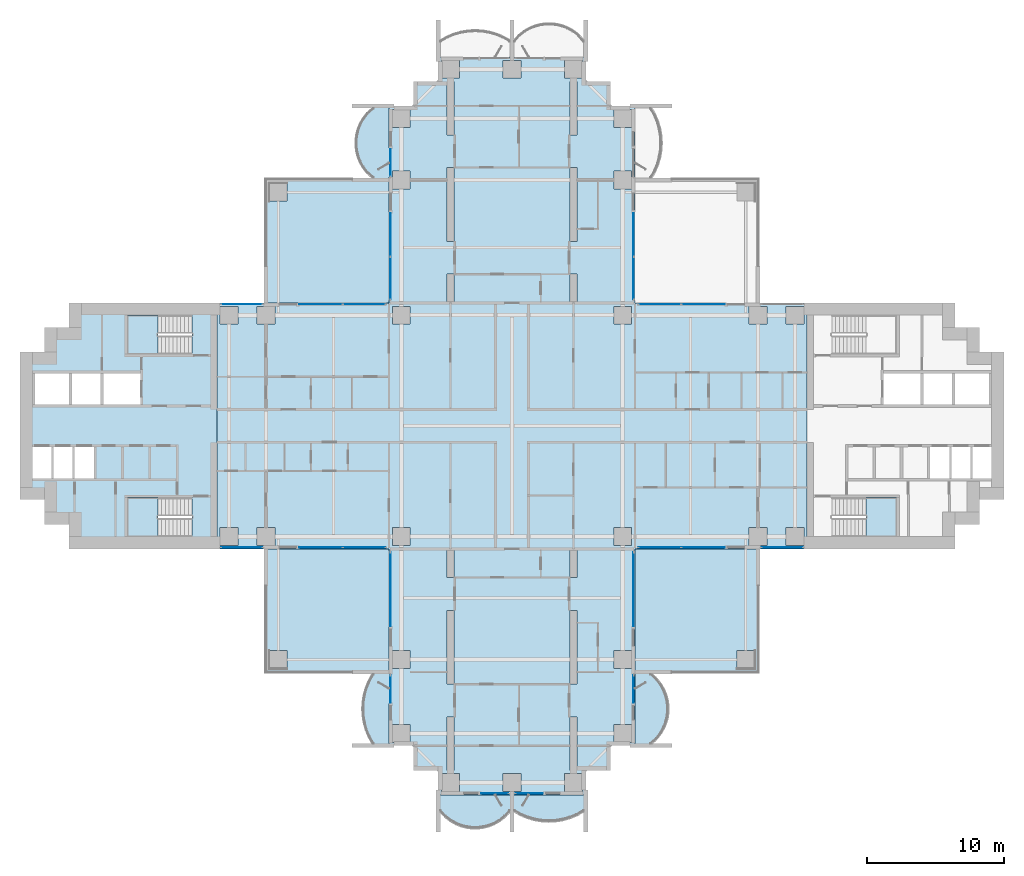
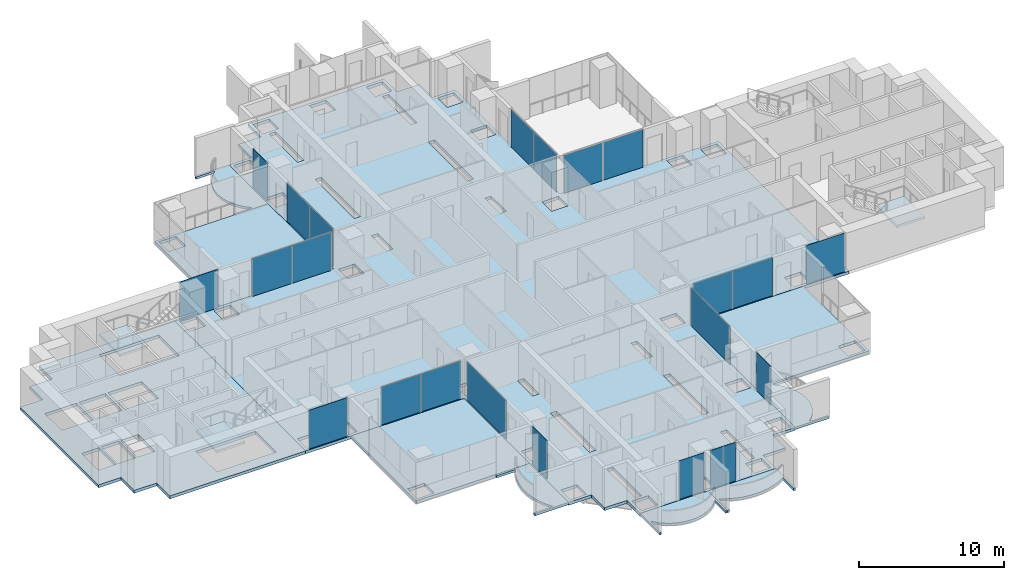
# One storey, part 8 of 20: 22 plates, 13 slabs, 19 elements without a shape of their own.
"""IFC4 building model written with IfcOpenShell, lengths in metres."""

import ifcopenshell
import ifcopenshell.guid

model = None  # the IFC model being written
_history = None  # IfcOwnerHistory: only IFC2X3 demands one
_inside = {}  # id of a spatial element -> (the spatial element, [elements in it])
_under = {}  # id of a project, library or spatial element -> (it, [spatial elements below it])
_declared = {}  # id of a project -> (the project, [libraries it declares])
_typed = {}  # id of a type object -> (the type object, [elements of that type])
_made_of = {}  # id of a material, layer set ... -> (it, [elements and type objects made of it])


def new_model(schema):
    """Start an empty IFC model of exactly this schema.

    Asked for "IFC4X3", IfcOpenShell would pick the latest addendum, in which some entities
    have other attributes; the version numbers below select the first issue.
    IFC2X3 requires an IfcOwnerHistory on every rooted entity: one is made here for all.
    """
    global model, _history
    if schema == "IFC4X3":
        model = ifcopenshell.file(schema_version=(4, 3, 0, 0))
    else:
        model = ifcopenshell.file(schema=schema)
    _inside.clear()
    _under.clear()
    _declared.clear()
    _typed.clear()
    _made_of.clear()
    _history = None
    if model.schema == "IFC2X3":
        org = make("IfcOrganization", Name="unknown")
        user = make(
            "IfcPersonAndOrganization",
            ThePerson=make("IfcPerson", FamilyName="unknown"),
            TheOrganization=org,
        )
        app = make(
            "IfcApplication",
            ApplicationDeveloper=org,
            Version="unknown",
            ApplicationFullName="unknown",
            ApplicationIdentifier="unknown",
        )
        _history = make(
            "IfcOwnerHistory",
            OwningUser=user,
            OwningApplication=app,
            ChangeAction="ADDED",
            CreationDate=0,
        )
    return model


def make(cls, **values):
    """One entity of the class cls with the attributes given. An attribute that is None is left unset."""
    return model.create_entity(
        cls, **{name: value for name, value in values.items() if value is not None}
    )


def rooted(cls, **values):
    """An entity with a GlobalId (a new one), such as an element, a storey or a relation."""
    return make(cls, GlobalId=ifcopenshell.guid.new(), OwnerHistory=_history, **values)


def si_unit(unit_type, name, prefix=None):
    """IfcSIUnit, for example si_unit("LENGTHUNIT", "METRE", prefix="MILLI")."""
    return make("IfcSIUnit", UnitType=unit_type, Prefix=prefix, Name=name)


def assignment(units):
    """IfcUnitAssignment: the units of a project."""
    return None if units is None else make("IfcUnitAssignment", Units=units)


def point(xyz):
    """IfcCartesianPoint."""
    return None if xyz is None else make("IfcCartesianPoint", Coordinates=xyz)


def direction(xyz):
    """IfcDirection."""
    return None if xyz is None else make("IfcDirection", DirectionRatios=xyz)


def frame(location, z_axis=None, x_axis=None):
    """IfcAxis2Placement3D, a coordinate frame: its origin and axes. An axis left out is left unset."""
    return make(
        "IfcAxis2Placement3D",
        Location=point(location),
        Axis=direction(z_axis),
        RefDirection=direction(x_axis),
    )


def frame_2d(location, x_axis=None):
    """IfcAxis2Placement2D, a coordinate frame in the plane: its origin and x axis."""
    return make(
        "IfcAxis2Placement2D", Location=point(location), RefDirection=direction(x_axis)
    )


def origin():
    """The frame at (0, 0, 0) with its axes left unset."""
    return frame((0.0, 0.0, 0.0))


def origin_2d():
    """The frame at (0, 0) in the plane with its x axis left unset."""
    return frame_2d((0.0, 0.0))


def place(relative_to, where):
    """IfcLocalPlacement: puts the frame where relative to a parent placement (None: the world)."""
    return make(
        "IfcLocalPlacement", PlacementRelTo=relative_to, RelativePlacement=where
    )


def context(
    kind, dimensions, precision=None, world=None, true_north=None, identifier=None
):
    """IfcGeometricRepresentationContext, for example the 3D "Model" context."""
    return make(
        "IfcGeometricRepresentationContext",
        ContextIdentifier=identifier,
        ContextType=kind,
        CoordinateSpaceDimension=dimensions,
        Precision=precision,
        WorldCoordinateSystem=world,
        TrueNorth=true_north,
    )


def subcontext(parent, identifier, kind, view, scale=None):
    """IfcGeometricRepresentationSubContext, for example "Body" below "Model"."""
    return make(
        "IfcGeometricRepresentationSubContext",
        ContextIdentifier=identifier,
        ContextType=kind,
        ParentContext=parent,
        TargetScale=scale,
        TargetView=view,
    )


def project(units=None, contexts=None):
    """IfcProject with its units and contexts."""
    return rooted(
        "IfcProject",
        Name="project",
        RepresentationContexts=contexts,
        UnitsInContext=assignment(units),
    )


def spatial(cls, under=None, at=None, **own):
    """A site, building, storey or space (cls), placed at a placement, below another one or the project."""
    s = rooted(cls, ObjectPlacement=at, **own)
    if under is not None:
        _under.setdefault(under.id(), (under, []))[1].append(s)
    return s


def polyline(points):
    """IfcPolyline through the points."""
    return make("IfcPolyline", Points=[point(p) for p in points])


def profile(cls, at=None, kind="AREA", **sizes):
    """A parametric profile (cls). Its sizes go by their IFC names, for example OverallWidth=200.0."""
    return make(cls, ProfileType=kind, Position=at, **sizes)


def rectangle(**sizes):
    """IfcRectangleProfileDef."""
    return profile("IfcRectangleProfileDef", **sizes)


def outline(outer, holes=None, kind="AREA"):
    """IfcArbitraryClosedProfileDef: a profile drawn as a closed curve; with holes, ...WithVoids."""
    if holes is None:
        return make("IfcArbitraryClosedProfileDef", ProfileType=kind, OuterCurve=outer)
    return make(
        "IfcArbitraryProfileDefWithVoids",
        ProfileType=kind,
        OuterCurve=outer,
        InnerCurves=holes,
    )


def extrude(swept, where, along, depth):
    """IfcExtrudedAreaSolid: the profile swept, set in the frame where, extruded along a direction by depth."""
    return make(
        "IfcExtrudedAreaSolid",
        SweptArea=swept,
        Position=where,
        ExtrudedDirection=direction(along),
        Depth=depth,
    )


def shape(context_of_items, identifier, shape_type, items):
    """IfcShapeRepresentation: the items that make up one representation, for example the "Body"."""
    return make(
        "IfcShapeRepresentation",
        ContextOfItems=context_of_items,
        RepresentationIdentifier=identifier,
        RepresentationType=shape_type,
        Items=items,
    )


def material(Name=None, Category=None):
    """IfcMaterial."""
    return make("IfcMaterial", Name=Name, Category=Category)


def layer(
    of_material, thickness, ventilated=None, Name=None, Category=None, Priority=None
):
    """IfcMaterialLayer: one layer of a wall or slab, of a material (None: an air gap)."""
    return make(
        "IfcMaterialLayer",
        Material=of_material,
        LayerThickness=thickness,
        IsVentilated=ventilated,
        Name=Name,
        Category=Category,
        Priority=Priority,
    )


def layer_set(layers, Name=None):
    """IfcMaterialLayerSet."""
    return make("IfcMaterialLayerSet", MaterialLayers=layers, LayerSetName=Name)


def made_of(thing, what):
    """Note that an element or type object is made of a material, layer set ...; save() writes the relation."""
    if what is not None:
        _made_of.setdefault(what.id(), (what, []))[1].append(thing)
    return thing


def type_object(cls, material=None, **own):
    """A type object (cls), such as IfcWallType, which elements share."""
    return made_of(rooted(cls, **own), material)


def element(
    cls,
    number,
    at=None,
    inside=None,
    cuts=None,
    type_object=None,
    material=None,
    context=None,
    identifier="Body",
    shape_type=None,
    held_by="IfcProductDefinitionShape",
    body=None,
    shapes=None,
    **own,
):
    """One element of the class cls, such as IfcWall. Its Tag is "e" and its number.

    at: its placement. inside: the storey or other place that contains it. cuts: it is an
    opening in that element (IfcRelVoidsElement). A single representation is given by context,
    identifier, shape_type and body (its items); several are given by shapes. held_by: the class
    of the entity that holds the representations. save() writes the other relations.
    """
    e = rooted(cls, Tag="e%d" % number, ObjectPlacement=at, **own)
    if body is not None:
        shapes = [shape(context, identifier, shape_type, body)]
    if shapes is not None:
        e.Representation = make(held_by, Representations=shapes)
    if inside is not None:
        _inside.setdefault(inside.id(), (inside, []))[1].append(e)
    if cuts is not None:
        rooted(
            "IfcRelVoidsElement", RelatingBuildingElement=cuts, RelatedOpeningElement=e
        )
    if type_object is not None:
        _typed.setdefault(type_object.id(), (type_object, []))[1].append(e)
    return made_of(e, material)


def aggregate(whole, parts):
    """IfcRelAggregates: a whole, such as a stair, and the parts it consists of."""
    return rooted("IfcRelAggregates", RelatingObject=whole, RelatedObjects=parts)


def save(model, path):
    """Write the relations noted so far, then the file.

    IfcRelAggregates (storeys below a building ...), IfcRelContainedInSpatialStructure (elements
    in a storey), IfcRelDefinesByType, IfcRelAssociatesMaterial and IfcRelDeclares: one each for
    every whole, place, type object, material and project.
    """
    for whole, parts in _under.values():
        aggregate(whole, parts)
    for where, things in _inside.values():
        rooted(
            "IfcRelContainedInSpatialStructure",
            RelatedElements=things,
            RelatingStructure=where,
        )
    for kind, things in _typed.values():
        rooted("IfcRelDefinesByType", RelatedObjects=things, RelatingType=kind)
    for what, things in _made_of.values():
        rooted("IfcRelAssociatesMaterial", RelatedObjects=things, RelatingMaterial=what)
    for by, libraries in _declared.values():
        rooted("IfcRelDeclares", RelatingContext=by, RelatedDefinitions=libraries)
    model.write(path)


model = new_model("IFC4")

# Units and contexts
model_context = context("Model", 3, precision=1e-05, world=origin(), true_north=direction((0.0, 1.0)))
body_context = subcontext(model_context, "Body", "Model", "MODEL_VIEW")
ifc_project = project(units=[si_unit("LENGTHUNIT", "METRE"), si_unit("AREAUNIT", "SQUARE_METRE"), si_unit("VOLUMEUNIT", "CUBIC_METRE"), si_unit("PLANEANGLEUNIT", "RADIAN"), si_unit("MASSUNIT", "GRAM", prefix="KILO")], contexts=[model_context])

# Site, building, storey
site_placement = place(None, origin())
site = spatial("IfcSite", under=ifc_project, at=site_placement, CompositionType="ELEMENT")
building_placement = place(site_placement, origin())
building = spatial("IfcBuilding", under=site, at=building_placement, Name="Perihelion Cross Residences", CompositionType="ELEMENT")
storey_placement = place(building_placement, frame((0.0, 0.0, 82.0)))
storey = spatial("IfcBuildingStorey", under=building, at=storey_placement, Name="L18", CompositionType="ELEMENT", Elevation=82.0)

# Slabs
ifc_material_1 = material(Name="Concrete C40/50", Category="concrete")
ifc_layer_1 = layer(ifc_material_1, 0.199951171875)
ifc_layer_set_1 = layer_set([ifc_layer_1], Name="Balcony slab 200")
slab_type_1 = type_object("IfcSlabType", Name="Balcony slab 200", PredefinedType="FLOOR", material=ifc_layer_set_1)
slab_1_placement = place(storey_placement, frame((0.0, 0.0, -0.199951171875)))
element("IfcSlab", 1, at=slab_1_placement, inside=storey, type_object=slab_type_1, Name="Slab BK1 L18 north side west bay 1 balcony", PredefinedType="FLOOR", context=body_context, shape_type="SweptSolid", body=[
    extrude(outline(polyline([(-9.0, 23.39990234375), (-9.0, 18.0), (-11.699951171875, 18.0), (-11.699951171875, 18.14990234375), (-10.199951171875, 18.14990234375), (-10.622314453125, 18.542236328125), (-10.924072265625, 18.9345703125), (-11.143310546875, 19.326904296875), (-11.29736328125, 19.71923828125), (-11.39599609375, 20.111572265625), (-11.444091796875, 20.50390625), (-11.444091796875, 20.896240234375), (-11.39599609375, 21.28857421875), (-11.29736328125, 21.6806640625), (-11.143310546875, 22.072998046875), (-10.924072265625, 22.46533203125), (-10.622314453125, 22.857666015625), (-10.199951171875, 23.25), (-11.699951171875, 23.25), (-11.699951171875, 23.39990234375), (-9.0, 23.39990234375)])), origin(), (0.0, 0.0, 1.0), 0.199951171875),
])
slab_2_placement = place(storey_placement, frame((0.0, 0.0, -0.199951171875)))
element("IfcSlab", 2, at=slab_2_placement, inside=storey, type_object=slab_type_1, Name="Slab BK1 L18 south side west bay 2 balcony", PredefinedType="FLOOR", context=body_context, shape_type="SweptSolid", body=[
    extrude(outline(polyline([(-9.0, -18.0), (-9.0, -23.39990234375), (-11.699951171875, -23.39990234375), (-11.699951171875, -23.25), (-10.199951171875, -23.25), (-10.4853515625, -22.739990234375), (-10.694580078125, -22.22998046875), (-10.838134765625, -21.719970703125), (-10.92236328125, -21.2099609375), (-10.949951171875, -20.699951171875), (-10.92236328125, -20.18994140625), (-10.838134765625, -19.679931640625), (-10.694580078125, -19.169921875), (-10.4853515625, -18.659912109375), (-10.199951171875, -18.14990234375), (-11.699951171875, -18.14990234375), (-11.699951171875, -18.0), (-9.0, -18.0)])), origin(), (0.0, 0.0, 1.0), 0.199951171875),
])
slab_3_placement = place(storey_placement, frame((0.0, 0.0, -0.199951171875)))
element("IfcSlab", 3, at=slab_3_placement, inside=storey, type_object=slab_type_1, Name="Slab BK1 L18 south tip south bay 1 balcony", PredefinedType="FLOOR", context=body_context, shape_type="SweptSolid", body=[
    extrude(outline(polyline([(-5.39990234375, -27.0), (0.0, -27.0), (0.0, -29.699951171875), (-0.14990234375, -29.699951171875), (-0.14990234375, -28.199951171875), (-0.542236328125, -28.622314453125), (-0.9345703125, -28.924072265625), (-1.326904296875, -29.143310546875), (-1.71923828125, -29.29736328125), (-2.111572265625, -29.39599609375), (-2.50390625, -29.444091796875), (-2.896240234375, -29.444091796875), (-3.28857421875, -29.39599609375), (-3.6806640625, -29.29736328125), (-4.072998046875, -29.143310546875), (-4.46533203125, -28.924072265625), (-4.857666015625, -28.622314453125), (-5.25, -28.199951171875), (-5.25, -29.699951171875), (-5.39990234375, -29.699951171875), (-5.39990234375, -27.0)])), origin(), (0.0, 0.0, 1.0), 0.199951171875),
])
slab_4_placement = place(storey_placement, frame((0.0, 0.0, -0.199951171875)))
element("IfcSlab", 4, at=slab_4_placement, inside=storey, type_object=slab_type_1, Name="Slab BK1 L18 south tip south bay 2 balcony", PredefinedType="FLOOR", context=body_context, shape_type="SweptSolid", body=[
    extrude(outline(polyline([(0.0, -27.0), (5.39990234375, -27.0), (5.39990234375, -29.699951171875), (5.25, -29.699951171875), (5.25, -28.199951171875), (4.739990234375, -28.4853515625), (4.22998046875, -28.694580078125), (3.719970703125, -28.838134765625), (3.2099609375, -28.92236328125), (2.699951171875, -28.949951171875), (2.18994140625, -28.92236328125), (1.679931640625, -28.838134765625), (1.169921875, -28.694580078125), (0.659912109375, -28.4853515625), (0.14990234375, -28.199951171875), (0.14990234375, -29.699951171875), (0.0, -29.699951171875), (0.0, -27.0)])), origin(), (0.0, 0.0, 1.0), 0.199951171875),
])
slab_5_placement = place(storey_placement, frame((0.0, 0.0, -0.199951171875)))
element("IfcSlab", 5, at=slab_5_placement, inside=storey, type_object=slab_type_1, Name="Slab BK1 L18 south side east bay 1 balcony", PredefinedType="FLOOR", context=body_context, shape_type="SweptSolid", body=[
    extrude(outline(polyline([(9.0, -23.39990234375), (9.0, -18.0), (11.699951171875, -18.0), (11.699951171875, -18.14990234375), (10.199951171875, -18.14990234375), (10.622314453125, -18.542236328125), (10.924072265625, -18.9345703125), (11.143310546875, -19.326904296875), (11.29736328125, -19.71923828125), (11.39599609375, -20.111572265625), (11.444091796875, -20.50390625), (11.444091796875, -20.896240234375), (11.39599609375, -21.28857421875), (11.29736328125, -21.6806640625), (11.143310546875, -22.072998046875), (10.924072265625, -22.46533203125), (10.622314453125, -22.857666015625), (10.199951171875, -23.25), (11.699951171875, -23.25), (11.699951171875, -23.39990234375), (9.0, -23.39990234375)])), origin(), (0.0, 0.0, 1.0), 0.199951171875),
])

# Curtain wall, plates
ifc_material_2 = material(Name="Bronze anodised aluminium, tinted glazing", Category="aluminium")
curtain_wall_type = type_object("IfcCurtainWallType", Name="CW1", PredefinedType="NOTDEFINED", material=ifc_material_2)
curtain_wall_1_placement = place(storey_placement, origin())
curtain_wall_1 = element("IfcCurtainWall", 6, at=curtain_wall_1_placement, inside=storey, type_object=curtain_wall_type, Name="Curtain wall CW1 L18 east side north bay 2", PredefinedType="NOTDEFINED")
ifc_material_3 = material(Name="Tinted laminated glass", Category="glass")
ifc_layer_2 = layer(ifc_material_3, 0.028076171875)
ifc_layer_set_2 = layer_set([ifc_layer_2], Name="CW1 panel")
plate_type = type_object("IfcPlateType", Name="CW1 panel", PredefinedType="CURTAIN_PANEL", material=ifc_layer_set_2)
plate_1_placement = place(storey_placement, frame((13.9775390625, 8.89990234375, 0.0), z_axis=(0.0, 0.0, 1.0), x_axis=(-1.0, 0.0, 0.0)))
plate_1 = element("IfcPlate", 7, at=plate_1_placement, type_object=plate_type, Name="CW1 panel 1", PredefinedType="CURTAIN_PANEL", context=body_context, shape_type="SweptSolid", body=[
    extrude(rectangle(XDim=3.14501953125, YDim=0.028076171875, at=origin_2d()), origin(), (0.0, 0.0, 1.0), 3.18994140625),
])
plate_2_placement = place(storey_placement, frame((10.802490234375, 8.89990234375, 0.0), z_axis=(0.0, 0.0, 1.0), x_axis=(-1.0, 0.0, 0.0)))
plate_2 = element("IfcPlate", 8, at=plate_2_placement, type_object=plate_type, Name="CW1 panel 2", PredefinedType="CURTAIN_PANEL", context=body_context, shape_type="SweptSolid", body=[
    extrude(rectangle(XDim=3.0849609375, YDim=0.028076171875, at=origin_2d()), origin(), (0.0, 0.0, 1.0), 3.18994140625),
])
aggregate(curtain_wall_1, [plate_1, plate_2])

curtain_wall_2_placement = place(storey_placement, origin())
curtain_wall_2 = element("IfcCurtainWall", 9, at=curtain_wall_2_placement, inside=storey, type_object=curtain_wall_type, Name="Curtain wall CW1 L18 north side east bay 1", PredefinedType="NOTDEFINED")
plate_3_placement = place(storey_placement, frame((8.89990234375, 10.802490234375, 0.0), z_axis=(0.0, 0.0, 1.0), x_axis=(0.0, 1.0, 0.0)))
plate_3 = element("IfcPlate", 10, at=plate_3_placement, type_object=plate_type, Name="CW1 panel 1", PredefinedType="CURTAIN_PANEL", context=body_context, shape_type="SweptSolid", body=[
    extrude(rectangle(XDim=3.0849609375, YDim=0.028076171875, at=origin_2d()), origin(), (0.0, 0.0, 1.0), 3.18994140625),
])
plate_4_placement = place(storey_placement, frame((8.89990234375, 13.9775390625, 0.0), z_axis=(0.0, 0.0, 1.0), x_axis=(0.0, 1.0, 0.0)))
plate_4 = element("IfcPlate", 11, at=plate_4_placement, type_object=plate_type, Name="CW1 panel 2", PredefinedType="CURTAIN_PANEL", context=body_context, shape_type="SweptSolid", body=[
    extrude(rectangle(XDim=3.14501953125, YDim=0.028076171875, at=origin_2d()), origin(), (0.0, 0.0, 1.0), 3.18994140625),
])
aggregate(curtain_wall_2, [plate_3, plate_4])

# Curtain wall, plate
curtain_wall_3_placement = place(storey_placement, origin())
curtain_wall_3 = element("IfcCurtainWall", 12, at=curtain_wall_3_placement, inside=storey, type_object=curtain_wall_type, Name="Curtain wall CW1 L18 north side west bay 1", PredefinedType="NOTDEFINED")
plate_5_placement = place(storey_placement, frame((-8.89990234375, 19.2548828125, 0.0), z_axis=(0.0, 0.0, 1.0), x_axis=(0.0, -1.0, 0.0)))
plate_5 = element("IfcPlate", 13, at=plate_5_placement, type_object=plate_type, Name="CW1 panel 1", PredefinedType="CURTAIN_PANEL", context=body_context, shape_type="SweptSolid", body=[
    extrude(rectangle(XDim=1.989990234375, YDim=0.028076171875, at=origin_2d()), origin(), (0.0, 0.0, 1.0), 3.25),
])
aggregate(curtain_wall_3, [plate_5])

# Curtain wall, plates
curtain_wall_4_placement = place(storey_placement, origin())
curtain_wall_4 = element("IfcCurtainWall", 14, at=curtain_wall_4_placement, inside=storey, type_object=curtain_wall_type, Name="Curtain wall CW1 L18 north side west bay 2", PredefinedType="NOTDEFINED")
plate_6_placement = place(storey_placement, frame((-8.89990234375, 13.9775390625, 0.0), z_axis=(0.0, 0.0, 1.0), x_axis=(0.0, -1.0, 0.0)))
plate_6 = element("IfcPlate", 15, at=plate_6_placement, type_object=plate_type, Name="CW1 panel 1", PredefinedType="CURTAIN_PANEL", context=body_context, shape_type="SweptSolid", body=[
    extrude(rectangle(XDim=3.14501953125, YDim=0.028076171875, at=origin_2d()), origin(), (0.0, 0.0, 1.0), 3.18994140625),
])
plate_7_placement = place(storey_placement, frame((-8.89990234375, 10.802490234375, 0.0), z_axis=(0.0, 0.0, 1.0), x_axis=(0.0, -1.0, 0.0)))
plate_7 = element("IfcPlate", 16, at=plate_7_placement, type_object=plate_type, Name="CW1 panel 2", PredefinedType="CURTAIN_PANEL", context=body_context, shape_type="SweptSolid", body=[
    extrude(rectangle(XDim=3.0849609375, YDim=0.028076171875, at=origin_2d()), origin(), (0.0, 0.0, 1.0), 3.18994140625),
])
aggregate(curtain_wall_4, [plate_6, plate_7])

curtain_wall_5_placement = place(storey_placement, origin())
curtain_wall_5 = element("IfcCurtainWall", 17, at=curtain_wall_5_placement, inside=storey, type_object=curtain_wall_type, Name="Curtain wall CW1 L18 west side north bay 1", PredefinedType="NOTDEFINED")
plate_8_placement = place(storey_placement, frame((-10.802490234375, 8.89990234375, 0.0), z_axis=(0.0, 0.0, 1.0), x_axis=(-1.0, 0.0, 0.0)))
plate_8 = element("IfcPlate", 18, at=plate_8_placement, type_object=plate_type, Name="CW1 panel 1", PredefinedType="CURTAIN_PANEL", context=body_context, shape_type="SweptSolid", body=[
    extrude(rectangle(XDim=3.0849609375, YDim=0.028076171875, at=origin_2d()), origin(), (0.0, 0.0, 1.0), 3.18994140625),
])
plate_9_placement = place(storey_placement, frame((-13.9775390625, 8.89990234375, 0.0), z_axis=(0.0, 0.0, 1.0), x_axis=(-1.0, 0.0, 0.0)))
plate_9 = element("IfcPlate", 19, at=plate_9_placement, type_object=plate_type, Name="CW1 panel 2", PredefinedType="CURTAIN_PANEL", context=body_context, shape_type="SweptSolid", body=[
    extrude(rectangle(XDim=3.14501953125, YDim=0.028076171875, at=origin_2d()), origin(), (0.0, 0.0, 1.0), 3.18994140625),
])
aggregate(curtain_wall_5, [plate_8, plate_9])

# Curtain wall, plate
curtain_wall_6_placement = place(storey_placement, origin())
curtain_wall_6 = element("IfcCurtainWall", 20, at=curtain_wall_6_placement, inside=storey, type_object=curtain_wall_type, Name="Curtain wall CW1 L18 west side north bay 2", PredefinedType="NOTDEFINED")
plate_10_placement = place(storey_placement, frame((-19.77490234375, 8.89990234375, 0.0), z_axis=(0.0, 0.0, 1.0), x_axis=(-1.0, 0.0, 0.0)))
plate_10 = element("IfcPlate", 21, at=plate_10_placement, type_object=plate_type, Name="CW1 panel 1", PredefinedType="CURTAIN_PANEL", context=body_context, shape_type="SweptSolid", body=[
    extrude(rectangle(XDim=3.030029296875, YDim=0.028076171875, at=origin_2d()), origin(), (0.0, 0.0, 1.0), 3.25),
])
aggregate(curtain_wall_6, [plate_10])

curtain_wall_7_placement = place(storey_placement, origin())
curtain_wall_7 = element("IfcCurtainWall", 22, at=curtain_wall_7_placement, inside=storey, type_object=curtain_wall_type, Name="Curtain wall CW1 L18 west side south bay 1", PredefinedType="NOTDEFINED")
plate_11_placement = place(storey_placement, frame((-19.77490234375, -8.89990234375, 0.0), z_axis=(0.0, 0.0, 1.0), x_axis=(1.0, 0.0, 0.0)))
plate_11 = element("IfcPlate", 23, at=plate_11_placement, type_object=plate_type, Name="CW1 panel 1", PredefinedType="CURTAIN_PANEL", context=body_context, shape_type="SweptSolid", body=[
    extrude(rectangle(XDim=3.030029296875, YDim=0.028076171875, at=origin_2d()), origin(), (0.0, 0.0, 1.0), 3.25),
])
aggregate(curtain_wall_7, [plate_11])

# Curtain wall, plates
curtain_wall_8_placement = place(storey_placement, origin())
curtain_wall_8 = element("IfcCurtainWall", 24, at=curtain_wall_8_placement, inside=storey, type_object=curtain_wall_type, Name="Curtain wall CW1 L18 west side south bay 2", PredefinedType="NOTDEFINED")
plate_12_placement = place(storey_placement, frame((-13.9775390625, -8.89990234375, 0.0), z_axis=(0.0, 0.0, 1.0), x_axis=(1.0, 0.0, 0.0)))
plate_12 = element("IfcPlate", 25, at=plate_12_placement, type_object=plate_type, Name="CW1 panel 1", PredefinedType="CURTAIN_PANEL", context=body_context, shape_type="SweptSolid", body=[
    extrude(rectangle(XDim=3.14501953125, YDim=0.028076171875, at=origin_2d()), origin(), (0.0, 0.0, 1.0), 3.18994140625),
])
plate_13_placement = place(storey_placement, frame((-10.802490234375, -8.89990234375, 0.0), z_axis=(0.0, 0.0, 1.0), x_axis=(1.0, 0.0, 0.0)))
plate_13 = element("IfcPlate", 26, at=plate_13_placement, type_object=plate_type, Name="CW1 panel 2", PredefinedType="CURTAIN_PANEL", context=body_context, shape_type="SweptSolid", body=[
    extrude(rectangle(XDim=3.0849609375, YDim=0.028076171875, at=origin_2d()), origin(), (0.0, 0.0, 1.0), 3.18994140625),
])
aggregate(curtain_wall_8, [plate_12, plate_13])

# Curtain wall, plate
curtain_wall_9_placement = place(storey_placement, origin())
curtain_wall_9 = element("IfcCurtainWall", 27, at=curtain_wall_9_placement, inside=storey, type_object=curtain_wall_type, Name="Curtain wall CW1 L18 south side west bay 1", PredefinedType="NOTDEFINED")
plate_14_placement = place(storey_placement, frame((-8.89990234375, -11.955078125, 0.0), z_axis=(0.0, 0.0, 1.0), x_axis=(0.0, -1.0, 0.0)))
plate_14 = element("IfcPlate", 28, at=plate_14_placement, type_object=plate_type, Name="CW1 panel 1", PredefinedType="CURTAIN_PANEL", context=body_context, shape_type="SweptSolid", body=[
    extrude(rectangle(XDim=5.389892578125, YDim=0.028076171875, at=origin_2d()), origin(), (0.0, 0.0, 1.0), 3.18994140625),
])
aggregate(curtain_wall_9, [plate_14])

curtain_wall_10_placement = place(storey_placement, origin())
curtain_wall_10 = element("IfcCurtainWall", 29, at=curtain_wall_10_placement, inside=storey, type_object=curtain_wall_type, Name="Curtain wall CW1 L18 south side west bay 2", PredefinedType="NOTDEFINED")
plate_15_placement = place(storey_placement, frame((-8.89990234375, -19.2548828125, 0.0), z_axis=(0.0, 0.0, 1.0), x_axis=(0.0, -1.0, 0.0)))
plate_15 = element("IfcPlate", 30, at=plate_15_placement, type_object=plate_type, Name="CW1 panel 1", PredefinedType="CURTAIN_PANEL", context=body_context, shape_type="SweptSolid", body=[
    extrude(rectangle(XDim=1.989990234375, YDim=0.028076171875, at=origin_2d()), origin(), (0.0, 0.0, 1.0), 3.25),
])
aggregate(curtain_wall_10, [plate_15])

curtain_wall_11_placement = place(storey_placement, origin())
curtain_wall_11 = element("IfcCurtainWall", 31, at=curtain_wall_11_placement, inside=storey, type_object=curtain_wall_type, Name="Curtain wall CW1 L18 south tip south bay 1", PredefinedType="NOTDEFINED")
plate_16_placement = place(storey_placement, frame((-1.2548828125, -26.89990234375, 0.0), z_axis=(0.0, 0.0, 1.0), x_axis=(1.0, 0.0, 0.0)))
plate_16 = element("IfcPlate", 32, at=plate_16_placement, type_object=plate_type, Name="CW1 panel 1", PredefinedType="CURTAIN_PANEL", context=body_context, shape_type="SweptSolid", body=[
    extrude(rectangle(XDim=1.989990234375, YDim=0.028076171875, at=origin_2d()), origin(), (0.0, 0.0, 1.0), 3.25),
])
aggregate(curtain_wall_11, [plate_16])

curtain_wall_12_placement = place(storey_placement, origin())
curtain_wall_12 = element("IfcCurtainWall", 33, at=curtain_wall_12_placement, inside=storey, type_object=curtain_wall_type, Name="Curtain wall CW1 L18 south tip south bay 2", PredefinedType="NOTDEFINED")
plate_17_placement = place(storey_placement, frame((1.2548828125, -26.89990234375, 0.0), z_axis=(0.0, 0.0, 1.0), x_axis=(1.0, 0.0, 0.0)))
plate_17 = element("IfcPlate", 34, at=plate_17_placement, type_object=plate_type, Name="CW1 panel 1", PredefinedType="CURTAIN_PANEL", context=body_context, shape_type="SweptSolid", body=[
    extrude(rectangle(XDim=1.989990234375, YDim=0.028076171875, at=origin_2d()), origin(), (0.0, 0.0, 1.0), 3.25),
])
aggregate(curtain_wall_12, [plate_17])

curtain_wall_13_placement = place(storey_placement, origin())
curtain_wall_13 = element("IfcCurtainWall", 35, at=curtain_wall_13_placement, inside=storey, type_object=curtain_wall_type, Name="Curtain wall CW1 L18 south side east bay 1", PredefinedType="NOTDEFINED")
plate_18_placement = place(storey_placement, frame((8.89990234375, -19.2548828125, 0.0), z_axis=(0.0, 0.0, 1.0), x_axis=(0.0, 1.0, 0.0)))
plate_18 = element("IfcPlate", 36, at=plate_18_placement, type_object=plate_type, Name="CW1 panel 1", PredefinedType="CURTAIN_PANEL", context=body_context, shape_type="SweptSolid", body=[
    extrude(rectangle(XDim=1.989990234375, YDim=0.028076171875, at=origin_2d()), origin(), (0.0, 0.0, 1.0), 3.25),
])
aggregate(curtain_wall_13, [plate_18])

curtain_wall_14_placement = place(storey_placement, origin())
curtain_wall_14 = element("IfcCurtainWall", 37, at=curtain_wall_14_placement, inside=storey, type_object=curtain_wall_type, Name="Curtain wall CW1 L18 south side east bay 2", PredefinedType="NOTDEFINED")
plate_19_placement = place(storey_placement, frame((8.89990234375, -11.955078125, 0.0), z_axis=(0.0, 0.0, 1.0), x_axis=(0.0, 1.0, 0.0)))
plate_19 = element("IfcPlate", 38, at=plate_19_placement, type_object=plate_type, Name="CW1 panel 1", PredefinedType="CURTAIN_PANEL", context=body_context, shape_type="SweptSolid", body=[
    extrude(rectangle(XDim=5.389892578125, YDim=0.028076171875, at=origin_2d()), origin(), (0.0, 0.0, 1.0), 3.18994140625),
])
aggregate(curtain_wall_14, [plate_19])

# Curtain wall, plates
curtain_wall_15_placement = place(storey_placement, origin())
curtain_wall_15 = element("IfcCurtainWall", 39, at=curtain_wall_15_placement, inside=storey, type_object=curtain_wall_type, Name="Curtain wall CW1 L18 east side south bay 1", PredefinedType="NOTDEFINED")
plate_20_placement = place(storey_placement, frame((10.802490234375, -8.89990234375, 0.0), z_axis=(0.0, 0.0, 1.0), x_axis=(1.0, 0.0, 0.0)))
plate_20 = element("IfcPlate", 40, at=plate_20_placement, type_object=plate_type, Name="CW1 panel 1", PredefinedType="CURTAIN_PANEL", context=body_context, shape_type="SweptSolid", body=[
    extrude(rectangle(XDim=3.0849609375, YDim=0.028076171875, at=origin_2d()), origin(), (0.0, 0.0, 1.0), 3.18994140625),
])
plate_21_placement = place(storey_placement, frame((13.9775390625, -8.89990234375, 0.0), z_axis=(0.0, 0.0, 1.0), x_axis=(1.0, 0.0, 0.0)))
plate_21 = element("IfcPlate", 41, at=plate_21_placement, type_object=plate_type, Name="CW1 panel 2", PredefinedType="CURTAIN_PANEL", context=body_context, shape_type="SweptSolid", body=[
    extrude(rectangle(XDim=3.14501953125, YDim=0.028076171875, at=origin_2d()), origin(), (0.0, 0.0, 1.0), 3.18994140625),
])
aggregate(curtain_wall_15, [plate_20, plate_21])

# Curtain wall, plate
curtain_wall_16_placement = place(storey_placement, origin())
curtain_wall_16 = element("IfcCurtainWall", 42, at=curtain_wall_16_placement, inside=storey, type_object=curtain_wall_type, Name="Curtain wall CW1 L18 east side south bay 2", PredefinedType="NOTDEFINED")
plate_22_placement = place(storey_placement, frame((19.77490234375, -8.89990234375, 0.0), z_axis=(0.0, 0.0, 1.0), x_axis=(1.0, 0.0, 0.0)))
plate_22 = element("IfcPlate", 43, at=plate_22_placement, type_object=plate_type, Name="CW1 panel 1", PredefinedType="CURTAIN_PANEL", context=body_context, shape_type="SweptSolid", body=[
    extrude(rectangle(XDim=3.030029296875, YDim=0.028076171875, at=origin_2d()), origin(), (0.0, 0.0, 1.0), 3.25),
])
aggregate(curtain_wall_16, [plate_22])

# Slabs
ifc_material_4 = material(Name="Concrete C40/50", Category="concrete")
ifc_layer_3 = layer(ifc_material_4, 0.25)
ifc_layer_set_3 = layer_set([ifc_layer_3], Name="Core floor slab 250")
slab_type_2 = type_object("IfcSlabType", Name="Core floor slab 250", PredefinedType="FLOOR", material=ifc_layer_set_3)
slab_6_placement = place(storey_placement, frame((0.0, 0.0, -0.25)))
element("IfcSlab", 44, at=slab_6_placement, inside=storey, type_object=slab_type_2, Name="West core floor slab", PredefinedType="FLOOR", context=body_context, shape_type="SweptSolid", body=[
    extrude(outline(polyline([(-32.39990234375, 7.199951171875), (-34.199951171875, 7.199951171875), (-34.199951171875, 5.39990234375), (-36.0, 5.39990234375), (-36.0, -5.39990234375), (-34.199951171875, -5.39990234375), (-34.199951171875, -7.199951171875), (-32.39990234375, -7.199951171875), (-32.39990234375, -9.0), (-21.60009765625, -9.0), (-21.60009765625, 9.0), (-32.39990234375, 9.0), (-32.39990234375, 7.199951171875)]), holes=[polyline([(-23.405029296875, -8.10009765625), (-28.14990234375, -8.10009765625), (-28.14990234375, -5.25), (-23.405029296875, -5.25), (-23.405029296875, -8.10009765625)]), polyline([(-30.60009765625, -1.550048828125), (-30.60009765625, -3.85009765625), (-32.0, -3.85009765625), (-32.0, -1.550048828125), (-30.60009765625, -1.550048828125)]), polyline([(-32.14990234375, -1.550048828125), (-32.14990234375, -3.85009765625), (-33.550048828125, -3.85009765625), (-33.550048828125, -1.550048828125), (-32.14990234375, -1.550048828125)]), polyline([(-33.699951171875, -1.550048828125), (-33.699951171875, -3.85009765625), (-35.10009765625, -3.85009765625), (-35.10009765625, -1.550048828125), (-33.699951171875, -1.550048828125)]), polyline([(-27.199951171875, 3.85009765625), (-27.199951171875, 1.550048828125), (-29.89990234375, 1.550048828125), (-29.89990234375, 3.85009765625), (-27.199951171875, 3.85009765625)]), polyline([(-30.10009765625, 3.85009765625), (-30.10009765625, 1.550048828125), (-32.199951171875, 1.550048828125), (-32.199951171875, 3.85009765625), (-30.10009765625, 3.85009765625)]), polyline([(-32.39990234375, 3.85009765625), (-32.39990234375, 1.550048828125), (-34.89990234375, 1.550048828125), (-34.89990234375, 3.85009765625), (-32.39990234375, 3.85009765625)]), polyline([(-23.405029296875, 5.25), (-28.14990234375, 5.25), (-28.14990234375, 8.10009765625), (-23.405029296875, 8.10009765625), (-23.405029296875, 5.25)])]), origin(), (0.0, 0.0, 1.0), 0.25),
])
ifc_material_5 = material(Name="Concrete C40/50", Category="concrete")
ifc_layer_4 = layer(ifc_material_5, 0.25)
ifc_layer_set_4 = layer_set([ifc_layer_4], Name="Corner terrace slab")
slab_type_3 = type_object("IfcSlabType", Name="Corner terrace slab", PredefinedType="FLOOR", material=ifc_layer_set_4)
slab_7_placement = place(storey_placement, frame((0.0, 0.0, -0.25)))
element("IfcSlab", 45, at=slab_7_placement, inside=storey, type_object=slab_type_3, Name="Slab BK2 L18 pocket north-west", PredefinedType="FLOOR", context=body_context, shape_type="SweptSolid", body=[
    extrude(outline(polyline([(-9.0, 9.0), (-9.0, 18.0), (-18.0, 18.0), (-18.0, 9.0), (-9.0, 9.0)]), holes=[polyline([(-17.7900390625, 16.409912109375), (-17.7900390625, 17.7900390625), (-16.449951171875, 17.7900390625), (-16.449951171875, 16.449951171875), (-17.75, 16.449951171875), (-17.75, 16.409912109375), (-17.7900390625, 16.409912109375)])]), origin(), (0.0, 0.0, 1.0), 0.25),
])
slab_8_placement = place(storey_placement, frame((0.0, 0.0, -0.25)))
element("IfcSlab", 46, at=slab_8_placement, inside=storey, type_object=slab_type_3, Name="Slab BK2 L18 pocket south-west", PredefinedType="FLOOR", context=body_context, shape_type="SweptSolid", body=[
    extrude(outline(polyline([(-9.0, -18.0), (-9.0, -9.0), (-18.0, -9.0), (-18.0, -18.0), (-9.0, -18.0)]), holes=[polyline([(-17.7900390625, -16.409912109375), (-17.75, -16.409912109375), (-17.75, -16.449951171875), (-16.449951171875, -16.449951171875), (-16.449951171875, -17.7900390625), (-17.7900390625, -17.7900390625), (-17.7900390625, -16.409912109375)])]), origin(), (0.0, 0.0, 1.0), 0.25),
])
slab_9_placement = place(storey_placement, frame((0.0, 0.0, -0.25)))
element("IfcSlab", 47, at=slab_9_placement, inside=storey, type_object=slab_type_3, Name="Slab BK2 L18 pocket south-east", PredefinedType="FLOOR", context=body_context, shape_type="SweptSolid", body=[
    extrude(outline(polyline([(18.0, -18.0), (18.0, -9.0), (9.0, -9.0), (9.0, -18.0), (18.0, -18.0)]), holes=[polyline([(16.449951171875, -17.7900390625), (16.449951171875, -16.449951171875), (17.75, -16.449951171875), (17.75, -16.409912109375), (17.7900390625, -16.409912109375), (17.7900390625, -17.7900390625), (16.449951171875, -17.7900390625)])]), origin(), (0.0, 0.0, 1.0), 0.25),
])

# Stair, slab
ifc_material_6 = material(Name="Concrete C40/50", Category="concrete")
stair_type = type_object("IfcStairType", Name="Exit stair, half-turn", PredefinedType="HALF_TURN_STAIR", material=ifc_material_6)
stair_1_placement = place(storey_placement, origin())
stair_1 = element("IfcStair", 48, at=stair_1_placement, inside=storey, type_object=stair_type, Name="L18 East core exit stair 2", PredefinedType="HALF_TURN_STAIR")
ifc_material_7 = material(Name="Concrete C40/50", Category="concrete")
ifc_layer_5 = layer(ifc_material_7, 0.199951171875)
ifc_layer_set_5 = layer_set([ifc_layer_5], Name="Exit stair landing 200")
slab_type_4 = type_object("IfcSlabType", Name="Exit stair landing 200", PredefinedType="LANDING", material=ifc_layer_set_5)
slab_10_placement = place(storey_placement, frame((0.0, 0.0, 1.550048828125)))
slab_10 = element("IfcSlab", 49, at=slab_10_placement, type_object=slab_type_4, Name="ST-E2 landing 1", PredefinedType="LANDING", context=body_context, shape_type="SweptSolid", body=[
    extrude(outline(polyline([(25.919921875, -8.10009765625), (28.14990234375, -8.10009765625), (28.14990234375, -5.25), (25.919921875, -5.25), (25.919921875, -8.10009765625)])), origin(), (0.0, 0.0, 1.0), 0.199951171875),
])
aggregate(stair_1, [slab_10])

stair_2_placement = place(storey_placement, origin())
stair_2 = element("IfcStair", 50, at=stair_2_placement, inside=storey, type_object=stair_type, Name="L18 West core exit stair 1", PredefinedType="HALF_TURN_STAIR")
slab_11_placement = place(storey_placement, frame((0.0, 0.0, 1.550048828125)))
slab_11 = element("IfcSlab", 51, at=slab_11_placement, type_object=slab_type_4, Name="ST-W1 landing 1", PredefinedType="LANDING", context=body_context, shape_type="SweptSolid", body=[
    extrude(outline(polyline([(-25.919921875, 8.10009765625), (-28.14990234375, 8.10009765625), (-28.14990234375, 5.25), (-25.919921875, 5.25), (-25.919921875, 8.10009765625)])), origin(), (0.0, 0.0, 1.0), 0.199951171875),
])
aggregate(stair_2, [slab_11])

stair_3_placement = place(storey_placement, origin())
stair_3 = element("IfcStair", 52, at=stair_3_placement, inside=storey, type_object=stair_type, Name="L18 West core exit stair 2", PredefinedType="HALF_TURN_STAIR")
slab_12_placement = place(storey_placement, frame((0.0, 0.0, 1.550048828125)))
slab_12 = element("IfcSlab", 53, at=slab_12_placement, type_object=slab_type_4, Name="ST-W2 landing 1", PredefinedType="LANDING", context=body_context, shape_type="SweptSolid", body=[
    extrude(outline(polyline([(-25.919921875, -5.25), (-28.14990234375, -5.25), (-28.14990234375, -8.10009765625), (-25.919921875, -8.10009765625), (-25.919921875, -5.25)])), origin(), (0.0, 0.0, 1.0), 0.199951171875),
])
aggregate(stair_3, [slab_12])

# Slab
ifc_material_8 = material(Name="Concrete C50/60", Category="concrete")
ifc_layer_6 = layer(ifc_material_8, 0.25)
ifc_layer_set_6 = layer_set([ifc_layer_6], Name="Residential floor post-tensioned slab concrete C50/60")
slab_type_5 = type_object("IfcSlabType", Name="Residential floor post-tensioned slab concrete C50/60", PredefinedType="FLOOR", material=ifc_layer_set_6)
slab_13_placement = place(storey_placement, frame((0.0, 0.0, -0.25)))
element("IfcSlab", 54, at=slab_13_placement, inside=storey, type_object=slab_type_5, Name="Slab SL8 L18 1 no. 1", PredefinedType="FLOOR", context=body_context, shape_type="SweptSolid", body=[
    extrude(outline(polyline([(-9.0, 9.0), (-9.0, 23.39990234375), (-7.199951171875, 23.39990234375), (-7.199951171875, 25.199951171875), (-5.39990234375, 25.199951171875), (-5.39990234375, 27.0), (5.39990234375, 27.0), (5.39990234375, 25.199951171875), (7.199951171875, 25.199951171875), (7.199951171875, 23.39990234375), (9.0, 23.39990234375), (9.0, 9.0), (21.60009765625, 9.0), (21.60009765625, -9.0), (9.0, -9.0), (9.0, -23.39990234375), (7.199951171875, -23.39990234375), (7.199951171875, -25.199951171875), (5.39990234375, -25.199951171875), (5.39990234375, -27.0), (-5.39990234375, -27.0), (-5.39990234375, -25.199951171875), (-7.199951171875, -25.199951171875), (-7.199951171875, -23.39990234375), (-9.0, -23.39990234375), (-9.0, -9.0), (-21.60009765625, -9.0), (-21.60009765625, 9.0), (-9.0, 9.0)]), holes=[polyline([(0.64990234375, -26.75), (0.64990234375, -25.449951171875), (-0.64990234375, -25.449951171875), (-0.64990234375, -26.75), (0.64990234375, -26.75)]), polyline([(-3.85009765625, -26.75), (-3.85009765625, -25.449951171875), (-5.14990234375, -25.449951171875), (-5.14990234375, -26.75), (-3.85009765625, -26.75)]), polyline([(-4.25, -25.199951171875), (-4.25, -21.300048828125), (-4.75, -21.300048828125), (-4.75, -25.199951171875), (-4.25, -25.199951171875)]), polyline([(-8.75, -23.14990234375), (-7.449951171875, -23.14990234375), (-7.449951171875, -21.85009765625), (-8.75, -21.85009765625), (-8.75, -23.14990234375)]), polyline([(-8.75, -17.75), (-7.449951171875, -17.75), (-7.449951171875, -16.449951171875), (-8.75, -16.449951171875), (-8.75, -17.75)]), polyline([(-4.25, -18.89990234375), (-4.25, -13.5), (-4.75, -13.5), (-4.75, -18.89990234375), (-4.25, -18.89990234375)]), polyline([(-4.25, -11.10009765625), (-4.25, -9.0), (-4.75, -9.0), (-4.75, -11.10009765625), (-4.25, -11.10009765625)]), polyline([(-7.449951171875, -8.75), (-7.449951171875, -7.449951171875), (-8.75, -7.449951171875), (-8.75, -8.75), (-7.449951171875, -8.75)]), polyline([(-18.64990234375, -8.75), (-17.35009765625, -8.75), (-17.35009765625, -7.449951171875), (-18.64990234375, -7.449951171875), (-18.64990234375, -8.75)]), polyline([(-21.35009765625, -8.75), (-20.050048828125, -8.75), (-20.050048828125, -7.449951171875), (-21.35009765625, -7.449951171875), (-21.35009765625, -8.75)]), polyline([(-17.35009765625, 7.449951171875), (-17.35009765625, 8.75), (-18.64990234375, 8.75), (-18.64990234375, 7.449951171875), (-17.35009765625, 7.449951171875)]), polyline([(-7.449951171875, 7.449951171875), (-7.449951171875, 8.75), (-8.75, 8.75), (-8.75, 7.449951171875), (-7.449951171875, 7.449951171875)]), polyline([(-21.35009765625, 7.449951171875), (-20.050048828125, 7.449951171875), (-20.050048828125, 8.75), (-21.35009765625, 8.75), (-21.35009765625, 7.449951171875)]), polyline([(-4.75, 9.0), (-4.25, 9.0), (-4.25, 11.10009765625), (-4.75, 11.10009765625), (-4.75, 9.0)]), polyline([(-4.25, 13.5), (-4.25, 18.89990234375), (-4.75, 18.89990234375), (-4.75, 13.5), (-4.25, 13.5)]), polyline([(-7.449951171875, 17.35009765625), (-7.449951171875, 18.64990234375), (-8.75, 18.64990234375), (-8.75, 17.35009765625), (-7.449951171875, 17.35009765625)]), polyline([(-7.449951171875, 21.85009765625), (-7.449951171875, 23.14990234375), (-8.75, 23.14990234375), (-8.75, 21.85009765625), (-7.449951171875, 21.85009765625)]), polyline([(-4.75, 21.300048828125), (-4.25, 21.300048828125), (-4.25, 25.199951171875), (-4.75, 25.199951171875), (-4.75, 21.300048828125)]), polyline([(-5.14990234375, 25.449951171875), (-3.85009765625, 25.449951171875), (-3.85009765625, 26.75), (-5.14990234375, 26.75), (-5.14990234375, 25.449951171875)]), polyline([(5.14990234375, -26.75), (5.14990234375, -25.449951171875), (3.85009765625, -25.449951171875), (3.85009765625, -26.75), (5.14990234375, -26.75)]), polyline([(4.75, -25.199951171875), (4.75, -21.300048828125), (4.25, -21.300048828125), (4.25, -25.199951171875), (4.75, -25.199951171875)]), polyline([(8.75, -23.14990234375), (8.75, -21.85009765625), (7.449951171875, -21.85009765625), (7.449951171875, -23.14990234375), (8.75, -23.14990234375)]), polyline([(7.449951171875, -17.75), (8.75, -17.75), (8.75, -16.449951171875), (7.449951171875, -16.449951171875), (7.449951171875, -17.75)]), polyline([(4.25, -18.89990234375), (4.75, -18.89990234375), (4.75, -13.5), (4.25, -13.5), (4.25, -18.89990234375)]), polyline([(4.75, -11.10009765625), (4.75, -9.0), (4.25, -9.0), (4.25, -11.10009765625), (4.75, -11.10009765625)]), polyline([(18.64990234375, -8.75), (18.64990234375, -7.449951171875), (17.35009765625, -7.449951171875), (17.35009765625, -8.75), (18.64990234375, -8.75)]), polyline([(21.35009765625, -8.75), (21.35009765625, -7.449951171875), (20.050048828125, -7.449951171875), (20.050048828125, -8.75), (21.35009765625, -8.75)]), polyline([(7.449951171875, -8.75), (8.75, -8.75), (8.75, -7.449951171875), (7.449951171875, -7.449951171875), (7.449951171875, -8.75)]), polyline([(21.35009765625, 7.449951171875), (21.35009765625, 8.75), (20.050048828125, 8.75), (20.050048828125, 7.449951171875), (21.35009765625, 7.449951171875)]), polyline([(8.75, 7.449951171875), (8.75, 8.75), (7.449951171875, 8.75), (7.449951171875, 7.449951171875), (8.75, 7.449951171875)]), polyline([(18.64990234375, 7.449951171875), (18.64990234375, 8.75), (17.35009765625, 8.75), (17.35009765625, 7.449951171875), (18.64990234375, 7.449951171875)]), polyline([(4.25, 9.0), (4.75, 9.0), (4.75, 11.10009765625), (4.25, 11.10009765625), (4.25, 9.0)]), polyline([(4.25, 13.5), (4.75, 13.5), (4.75, 18.89990234375), (4.25, 18.89990234375), (4.25, 13.5)]), polyline([(8.75, 17.35009765625), (8.75, 18.64990234375), (7.449951171875, 18.64990234375), (7.449951171875, 17.35009765625), (8.75, 17.35009765625)]), polyline([(8.75, 21.85009765625), (8.75, 23.14990234375), (7.449951171875, 23.14990234375), (7.449951171875, 21.85009765625), (8.75, 21.85009765625)]), polyline([(4.75, 21.300048828125), (4.75, 25.199951171875), (4.25, 25.199951171875), (4.25, 21.300048828125), (4.75, 21.300048828125)]), polyline([(-0.64990234375, 25.449951171875), (0.64990234375, 25.449951171875), (0.64990234375, 26.75), (-0.64990234375, 26.75), (-0.64990234375, 25.449951171875)]), polyline([(3.85009765625, 25.449951171875), (5.14990234375, 25.449951171875), (5.14990234375, 26.75), (3.85009765625, 26.75), (3.85009765625, 25.449951171875)])]), origin(), (0.0, 0.0, 1.0), 0.25),
])

save(model, "model.ifc")
